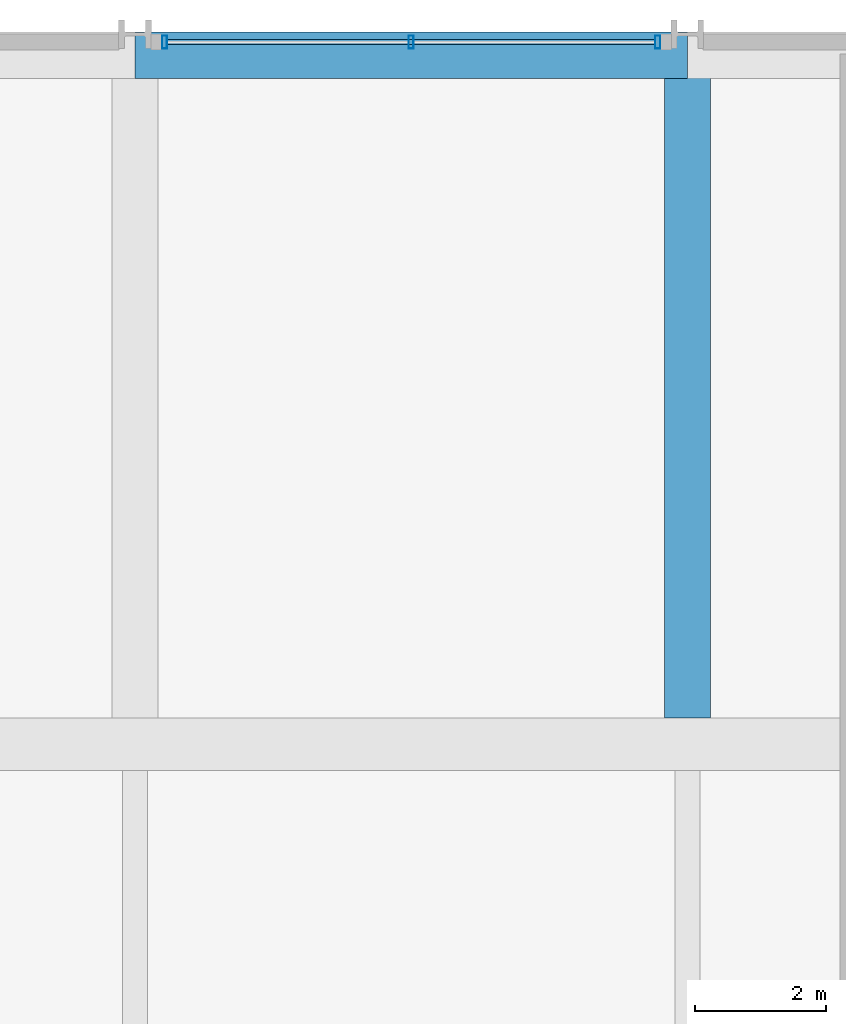
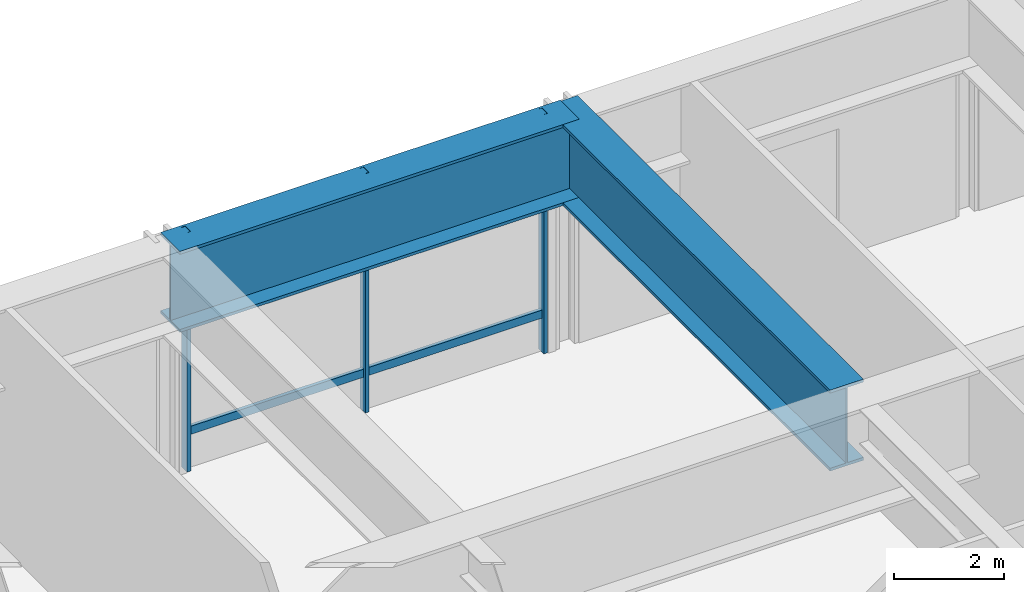
# One storey, part 5 of 19: 4 members, 2 beams, 1 element without a shape of its own.
"""IFC4 building model written with IfcOpenShell, lengths in metres."""

from ifc_helpers import new_model, si_unit, direction, frame, origin, origin_2d, place, context, subcontext, project, spatial, hollow_rectangle, i_section, extrude, material, layer, layer_set, material_profile, profile_set, type_object, element, aggregate, save


model = new_model("IFC4")

# Units and contexts
model_context = context("Model", 3, precision=1e-05, world=origin(), true_north=direction((0.0, 1.0)))
body_context = subcontext(model_context, "Body", "Model", "MODEL_VIEW")
ifc_project = project(units=[si_unit("LENGTHUNIT", "METRE"), si_unit("AREAUNIT", "SQUARE_METRE"), si_unit("VOLUMEUNIT", "CUBIC_METRE"), si_unit("PLANEANGLEUNIT", "RADIAN"), si_unit("MASSUNIT", "GRAM", prefix="KILO")], contexts=[model_context])

# Site, building, storey
site_placement = place(None, origin())
site = spatial("IfcSite", under=ifc_project, at=site_placement, CompositionType="ELEMENT")
building_placement = place(site_placement, origin())
building = spatial("IfcBuilding", under=site, at=building_placement, Name="Drelvath Grand Hotel", CompositionType="ELEMENT")
storey_placement = place(building_placement, frame((0.0, 0.0, 27.60009765625)))
storey = spatial("IfcBuildingStorey", under=building, at=storey_placement, Name="L05", CompositionType="ELEMENT", Elevation=27.60009765625)

# Beams
ifc_material_1 = material(Name="Steel ASTM A572 Gr 50", Category="steel")
ifc_material_profile_1 = material_profile(ifc_material_1, i_section(OverallWidth=0.699951171875, OverallDepth=1.800048828125, WebThickness=0.035888671875, FlangeThickness=0.06494140625, at=origin_2d()), Name="PG1800X700")
ifc_profile_set_1 = profile_set([ifc_material_profile_1], Name="Steel ASTM A572 Gr 50")
beam_type = type_object("IfcBeamType", Name="Built-Up Transfer Girder PG1800X700", PredefinedType="BEAM", material=ifc_profile_set_1)
beam_1_placement = place(storey_placement, frame((-8.39990234375, 53.679931640625, 4.419921875), z_axis=(1.0, 0.0, 0.0), x_axis=(0.0, 1.0, 0.0)))
element("IfcBeam", 1, at=beam_1_placement, inside=storey, type_object=beam_type, Name="L05 Transfer Girder North 2", PredefinedType="BEAM", context=body_context, shape_type="SweptSolid", body=[
    extrude(i_section(OverallWidth=0.699951171875, OverallDepth=1.800048828125, WebThickness=0.035888671875, FlangeThickness=0.06494140625, at=origin_2d()), origin(), (0.0, 0.0, 1.0), 8.39990234375),
])
beam_2_placement = place(storey_placement, frame((0.0, 43.60009765625, 4.419921875), z_axis=(0.0, 1.0, 0.0), x_axis=(-1.0, 0.0, 0.0)))
element("IfcBeam", 2, at=beam_2_placement, inside=storey, type_object=beam_type, Name="L05 Transfer Tie Girder N5", PredefinedType="BEAM", context=body_context, shape_type="SweptSolid", body=[
    extrude(i_section(OverallWidth=0.699951171875, OverallDepth=1.800048828125, WebThickness=0.035888671875, FlangeThickness=0.06494140625, at=origin_2d()), origin(), (0.0, 0.0, 1.0), 10.39990234375),
])

# Curtain wall, members
ifc_material_2 = material(Name="Dark Bronze Anodised Aluminium Frame", Category="aluminium")
ifc_layer = layer(ifc_material_2, 0.199951171875)
ifc_layer_set = layer_set([ifc_layer], Name="Dark Bronze Anodised Aluminium Frame")
curtain_wall_type = type_object("IfcCurtainWallType", Name="Stick Curtain Wall CW-01 Dark Bronze Podium", PredefinedType="NOTDEFINED", material=ifc_layer_set)
curtain_wall_placement = place(storey_placement, origin())
curtain_wall = element("IfcCurtainWall", 3, at=curtain_wall_placement, inside=storey, type_object=curtain_wall_type, Name="L05 CW-01 Curtain Wall CW01-L05-NC1", PredefinedType="NOTDEFINED")
ifc_material_profile_2 = material_profile(ifc_material_2, hollow_rectangle(XDim=0.074951171875, YDim=0.179931640625, WallThickness=0.0048828125, at=origin_2d()), Name="HSS180X75X5")
ifc_profile_set_2 = profile_set([ifc_material_profile_2], Name="Dark Bronze Anodised Aluminium Frame")
member_type_1 = type_object("IfcMemberType", Name="Curtain Wall Horizontal Transom CW-01 HSS180X75X5", PredefinedType="USERDEFINED", material=ifc_profile_set_2)
member_1_placement = place(storey_placement, frame((-7.909912109375, 53.8798828125, 0.849853515625), z_axis=(1.0, 0.0, 0.0), x_axis=(0.0, 1.0, 0.0)))
member_1 = element("IfcMember", 4, at=member_1_placement, type_object=member_type_1, Name="CW01-L05-NC1 Sill Transom", ObjectType="TRANSOM", PredefinedType="USERDEFINED", context=body_context, shape_type="SweptSolid", body=[
    extrude(hollow_rectangle(XDim=0.074951171875, YDim=0.179931640625, WallThickness=0.0048828125, at=origin_2d()), origin(), (0.0, 0.0, 1.0), 7.419921875),
])
ifc_material_profile_3 = material_profile(ifc_material_2, hollow_rectangle(XDim=0.080078125, YDim=0.199951171875, WallThickness=0.0048828125, at=origin_2d()), Name="HSS200X80X5")
ifc_profile_set_3 = profile_set([ifc_material_profile_3], Name="Dark Bronze Anodised Aluminium Frame")
member_type_2 = type_object("IfcMemberType", Name="Curtain Wall Vertical Mullion CW-01 HSS200X80X5", PredefinedType="MULLION", material=ifc_profile_set_3)
member_2_placement = place(storey_placement, frame((-7.949951171875, 53.8798828125, 0.0), z_axis=(0.0, 0.0, 1.0), x_axis=(1.0, 0.0, 0.0)))
member_2 = element("IfcMember", 5, at=member_2_placement, type_object=member_type_2, Name="CW01-L05-NC1 Mullion 1", PredefinedType="MULLION", context=body_context, shape_type="SweptSolid", body=[
    extrude(hollow_rectangle(XDim=0.080078125, YDim=0.199951171875, WallThickness=0.0048828125, at=origin_2d()), origin(), (0.0, 0.0, 1.0), 5.31982421875),
])
member_3_placement = place(storey_placement, frame((-4.199951171875, 53.8798828125, 0.0), z_axis=(0.0, 0.0, 1.0), x_axis=(1.0, 0.0, 0.0)))
member_3 = element("IfcMember", 6, at=member_3_placement, type_object=member_type_2, Name="CW01-L05-NC1 Mullion 2", PredefinedType="MULLION", context=body_context, shape_type="SweptSolid", body=[
    extrude(hollow_rectangle(XDim=0.080078125, YDim=0.199951171875, WallThickness=0.0048828125, at=origin_2d()), origin(), (0.0, 0.0, 1.0), 5.31982421875),
])
member_4_placement = place(storey_placement, frame((-0.449951171875, 53.8798828125, 0.0), z_axis=(0.0, 0.0, 1.0), x_axis=(1.0, 0.0, 0.0)))
member_4 = element("IfcMember", 7, at=member_4_placement, type_object=member_type_2, Name="CW01-L05-NC1 Mullion 3", PredefinedType="MULLION", context=body_context, shape_type="SweptSolid", body=[
    extrude(hollow_rectangle(XDim=0.080078125, YDim=0.199951171875, WallThickness=0.0048828125, at=origin_2d()), origin(), (0.0, 0.0, 1.0), 5.31982421875),
])
aggregate(curtain_wall, [member_2, member_3, member_4, member_1])

save(model, "model.ifc")
